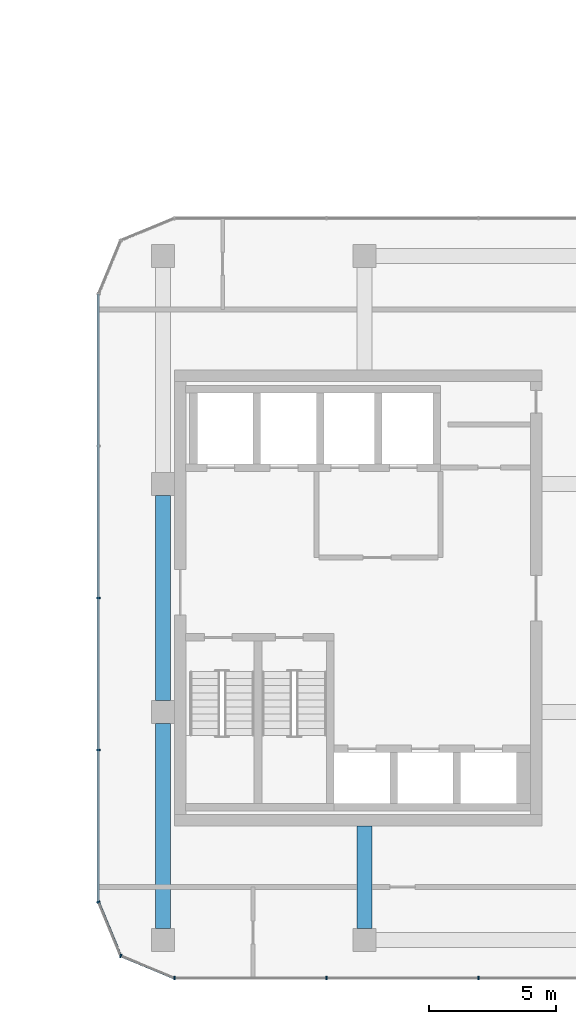
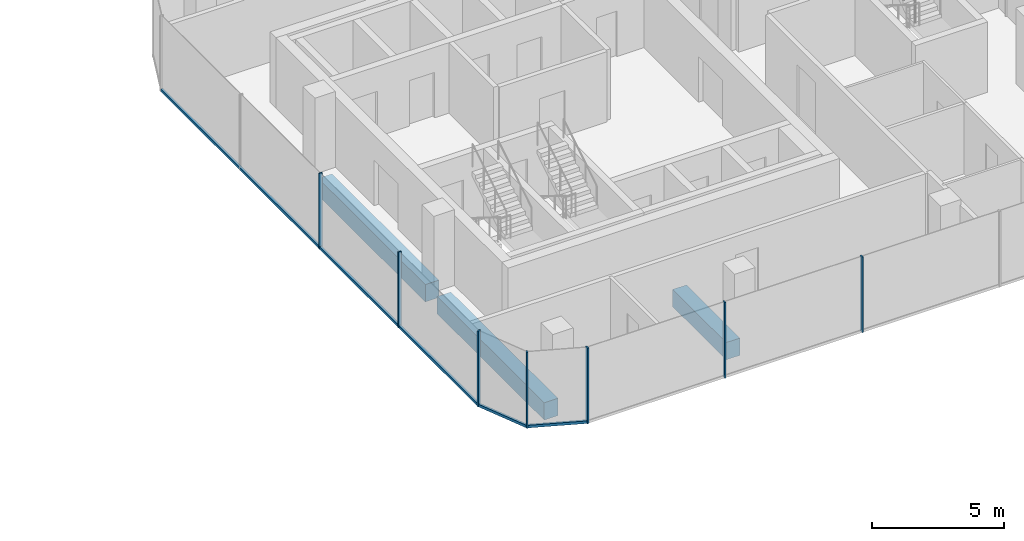
# One storey, part 7 of 23: 10 members, 3 beams, 4 elements without a shape of their own.
"""IFC4 building model written with IfcOpenShell, lengths in metres."""

from ifc_helpers import new_model, si_unit, direction, frame, origin, origin_2d, place, context, subcontext, project, spatial, rectangle, extrude, material, layer, layer_set, material_profile, profile_set, type_object, element, aggregate, save


model = new_model("IFC4")

# Units and contexts
model_context = context("Model", 3, precision=1e-05, world=origin(), true_north=direction((0.0, 1.0)))
body_context = subcontext(model_context, "Body", "Model", "MODEL_VIEW")
ifc_project = project(units=[si_unit("LENGTHUNIT", "METRE"), si_unit("AREAUNIT", "SQUARE_METRE"), si_unit("VOLUMEUNIT", "CUBIC_METRE"), si_unit("PLANEANGLEUNIT", "RADIAN"), si_unit("MASSUNIT", "GRAM", prefix="KILO")], contexts=[model_context])

# Site, building, storey
site_placement = place(None, origin())
site = spatial("IfcSite", under=ifc_project, at=site_placement, CompositionType="ELEMENT")
building_placement = place(site_placement, origin())
building = spatial("IfcBuilding", under=site, at=building_placement, Name="Plateau Cross Towers", CompositionType="ELEMENT")
storey_placement = place(building_placement, frame((0.0, 0.0, 85.300048828125)))
storey = spatial("IfcBuildingStorey", under=building, at=storey_placement, Name="L21", CompositionType="ELEMENT", Elevation=85.300048828125)

# Beam
ifc_material_1 = material(Name="Concrete C60/75", Category="concrete")
ifc_material_profile_1 = material_profile(ifc_material_1, rectangle(XDim=0.60009765625, YDim=0.800048828125, at=origin_2d()), Name="RC 600x800")
ifc_profile_set_1 = profile_set([ifc_material_profile_1], Name="Concrete C60/75")
beam_type_1 = type_object("IfcBeamType", Name="Core beam RC 600x800", PredefinedType="BEAM", material=ifc_profile_set_1)
beam_placement = place(storey_placement, frame((82.5, 0.0, -0.650146484375), z_axis=(0.0, -1.0, 0.0), x_axis=(1.0, 0.0, 0.0)))
element("IfcBeam", 1, at=beam_placement, inside=storey, type_object=beam_type_1, Name="B-CB01@L21", PredefinedType="BEAM", context=body_context, shape_type="SweptSolid", body=[
    extrude(rectangle(XDim=0.60009765625, YDim=0.800048828125, at=origin_2d()), origin(), (0.0, 0.0, 1.0), 4.050048828125),
])

# Curtain wall, members
ifc_material_2 = material(Name="Dark low-iron glass", Category="glass")
ifc_layer = layer(ifc_material_2, 0.239990234375)
ifc_layer_set = layer_set([ifc_layer], Name="Dark low-iron glass")
curtain_wall_type = type_object("IfcCurtainWallType", Name="Curtain wall office unitised CW-F", PredefinedType="NOTDEFINED", material=ifc_layer_set)
curtain_wall_1_placement = place(storey_placement, origin())
curtain_wall_1 = element("IfcCurtainWall", 2, at=curtain_wall_1_placement, inside=storey, type_object=curtain_wall_type, Name="ENV/B/L21/B750_-60", PredefinedType="NOTDEFINED")
ifc_material_3 = material(Name="Black anodised aluminium", Category="aluminium")
ifc_material_profile_2 = material_profile(ifc_material_3, rectangle(XDim=0.06005859375, YDim=0.139892578125, at=origin_2d()), Name="MULLION 60x140")
ifc_profile_set_2 = profile_set([ifc_material_profile_2], Name="Black anodised aluminium")
member_type_1 = type_object("IfcMemberType", Name="Mullion 60x140 office unitised", PredefinedType="MULLION", material=ifc_profile_set_2)
member_1_placement = place(storey_placement, frame((75.0, -6.0, -0.25), z_axis=(0.0, 0.0, 1.0), x_axis=(1.0, 0.0, 0.0)))
member_1 = element("IfcMember", 3, at=member_1_placement, type_object=member_type_1, Name="CW-F mullion 1", PredefinedType="MULLION", context=body_context, shape_type="SweptSolid", body=[
    extrude(rectangle(XDim=0.06005859375, YDim=0.139892578125, at=origin_2d()), origin(), (0.0, 0.0, 1.0), 3.5),
])
member_2_placement = place(storey_placement, frame((81.0, -6.0, -0.25), z_axis=(0.0, 0.0, 1.0), x_axis=(1.0, 0.0, 0.0)))
member_2 = element("IfcMember", 4, at=member_2_placement, type_object=member_type_1, Name="CW-F mullion 2", PredefinedType="MULLION", context=body_context, shape_type="SweptSolid", body=[
    extrude(rectangle(XDim=0.06005859375, YDim=0.139892578125, at=origin_2d()), origin(), (0.0, 0.0, 1.0), 3.5),
])
member_3_placement = place(storey_placement, frame((87.0, -6.0, -0.25), z_axis=(0.0, 0.0, 1.0), x_axis=(1.0, 0.0, 0.0)))
member_3 = element("IfcMember", 5, at=member_3_placement, type_object=member_type_1, Name="CW-F mullion 3", PredefinedType="MULLION", context=body_context, shape_type="SweptSolid", body=[
    extrude(rectangle(XDim=0.06005859375, YDim=0.139892578125, at=origin_2d()), origin(), (0.0, 0.0, 1.0), 3.5),
])
aggregate(curtain_wall_1, [member_1, member_2, member_3])

curtain_wall_2_placement = place(storey_placement, origin())
curtain_wall_2 = element("IfcCurtainWall", 6, at=curtain_wall_2_placement, inside=storey, type_object=curtain_wall_type, Name="ENV/B/L21/B720_210", PredefinedType="NOTDEFINED")
member_4_placement = place(storey_placement, frame((72.0, 9.0, -0.25), z_axis=(0.0, 0.0, 1.0), x_axis=(0.0, -1.0, 0.0)))
member_4 = element("IfcMember", 7, at=member_4_placement, type_object=member_type_1, Name="CW-F mullion 3", PredefinedType="MULLION", context=body_context, shape_type="SweptSolid", body=[
    extrude(rectangle(XDim=0.06005859375, YDim=0.139892578125, at=origin_2d()), origin(), (0.0, 0.0, 1.0), 3.5),
])
member_5_placement = place(storey_placement, frame((72.0, 3.0, -0.25), z_axis=(0.0, 0.0, 1.0), x_axis=(0.0, -1.0, 0.0)))
member_5 = element("IfcMember", 8, at=member_5_placement, type_object=member_type_1, Name="CW-F mullion 4", PredefinedType="MULLION", context=body_context, shape_type="SweptSolid", body=[
    extrude(rectangle(XDim=0.06005859375, YDim=0.139892578125, at=origin_2d()), origin(), (0.0, 0.0, 1.0), 3.5),
])

# Curtain wall, member
curtain_wall_3_placement = place(storey_placement, origin())
curtain_wall_3 = element("IfcCurtainWall", 9, at=curtain_wall_3_placement, inside=storey, type_object=curtain_wall_type, Name="ENV/B/L21/B720_-30", PredefinedType="NOTDEFINED")
member_6_placement = place(storey_placement, frame((72.0, -3.0, -0.25), z_axis=(0.0, 0.0, 1.0), x_axis=(0.382683612978, -0.923879457699, 0.0)))
member_6 = element("IfcMember", 10, at=member_6_placement, type_object=member_type_1, Name="CW-F mullion 1", PredefinedType="MULLION", context=body_context, shape_type="SweptSolid", body=[
    extrude(rectangle(XDim=0.06005859375, YDim=0.139892578125, at=origin_2d()), origin(), (0.0, 0.0, 1.0), 3.5),
])

curtain_wall_4_placement = place(storey_placement, origin())
curtain_wall_4 = element("IfcCurtainWall", 11, at=curtain_wall_4_placement, inside=storey, type_object=curtain_wall_type, Name="ENV/B/L21/B729_-51", PredefinedType="NOTDEFINED")
member_7_placement = place(storey_placement, frame((72.878662109375, -5.121337890625, -0.25), z_axis=(0.0, 0.0, 1.0), x_axis=(0.923879457699, -0.382683612978, 0.0)))
member_7 = element("IfcMember", 12, at=member_7_placement, type_object=member_type_1, Name="CW-F mullion 1", PredefinedType="MULLION", context=body_context, shape_type="SweptSolid", body=[
    extrude(rectangle(XDim=0.06005859375, YDim=0.139892578125, at=origin_2d()), origin(), (0.0, 0.0, 1.0), 3.5),
])

# Beams
ifc_material_profile_3 = material_profile(ifc_material_1, rectangle(XDim=0.60009765625, YDim=0.800048828125, at=origin_2d()), Name="RC 600x800")
ifc_profile_set_3 = profile_set([ifc_material_profile_3], Name="Concrete C60/75")
beam_type_2 = type_object("IfcBeamType", Name="Ring beam RC 600x800", PredefinedType="BEAM", material=ifc_profile_set_3)
for number, where, z_axis, x_axis, name in (
    (13, (74.550048828125, 13.050048828125, -0.650146484375), (0.0, -1.0, 0.0), (1.0, 0.0, 0.0), "B-RB09@L21"),
    (14, (74.550048828125, 4.050048828125, -0.650146484375), (0.0, -1.0, 0.0), (1.0, 0.0, 0.0), "B-RB10@L21"),
):
    element("IfcBeam", number, at=place(storey_placement, frame(where, z_axis=z_axis, x_axis=x_axis)), inside=storey, type_object=beam_type_2, Name=name, PredefinedType="BEAM", context=body_context, shape_type="SweptSolid", body=[
        extrude(rectangle(XDim=0.60009765625, YDim=0.800048828125, at=origin_2d()), origin(), (0.0, 0.0, 1.0), 8.10009765625),
    ])

# Member
ifc_material_profile_4 = material_profile(ifc_material_3, rectangle(XDim=0.10009765625, YDim=0.1201171875, at=origin_2d()), Name="TRANSOM 100x120")
ifc_profile_set_4 = profile_set([ifc_material_profile_4], Name="Black anodised aluminium")
member_type_2 = type_object("IfcMemberType", Name="Transom 100x120 office unitised", PredefinedType="USERDEFINED", material=ifc_profile_set_4)
member_8_placement = place(storey_placement, frame((72.0, 21.0, -0.18994140625), z_axis=(0.0, -1.0, 0.0), x_axis=(1.0, 0.0, 0.0)))
member_8 = element("IfcMember", 15, at=member_8_placement, type_object=member_type_2, Name="CW-F transom", ObjectType="TRANSOM", PredefinedType="USERDEFINED", context=body_context, shape_type="SweptSolid", body=[
    extrude(rectangle(XDim=0.10009765625, YDim=0.1201171875, at=origin_2d()), origin(), (0.0, 0.0, 1.0), 24.0),
])

aggregate(curtain_wall_2, [member_4, member_5, member_8])

member_9_placement = place(storey_placement, frame((72.0, -3.0, -0.18994140625), z_axis=(0.382674207535, -0.923883353507, 0.0), x_axis=(0.923883353507, 0.382674207535, 0.0)))
member_9 = element("IfcMember", 16, at=member_9_placement, type_object=member_type_2, Name="CW-F transom", ObjectType="TRANSOM", PredefinedType="USERDEFINED", context=body_context, shape_type="SweptSolid", body=[
    extrude(rectangle(XDim=0.10009765625, YDim=0.1201171875, at=origin_2d()), origin(), (0.0, 0.0, 1.0), 2.296142578125),
])

aggregate(curtain_wall_3, [member_6, member_9])

member_10_placement = place(storey_placement, frame((72.878662109375, -5.121337890625, -0.18994140625), z_axis=(0.923883353507, -0.382674207535, 0.0), x_axis=(0.382674207535, 0.923883353507, 0.0)))
member_10 = element("IfcMember", 17, at=member_10_placement, type_object=member_type_2, Name="CW-F transom", ObjectType="TRANSOM", PredefinedType="USERDEFINED", context=body_context, shape_type="SweptSolid", body=[
    extrude(rectangle(XDim=0.10009765625, YDim=0.1201171875, at=origin_2d()), origin(), (0.0, 0.0, 1.0), 2.296142578125),
])

aggregate(curtain_wall_4, [member_7, member_10])

save(model, "model.ifc")
